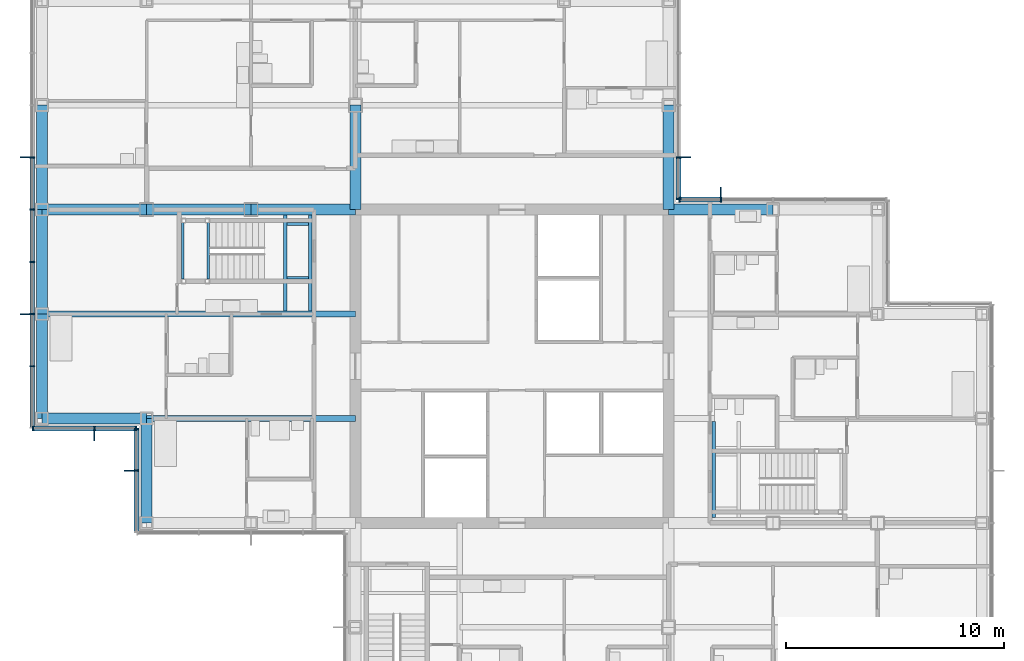
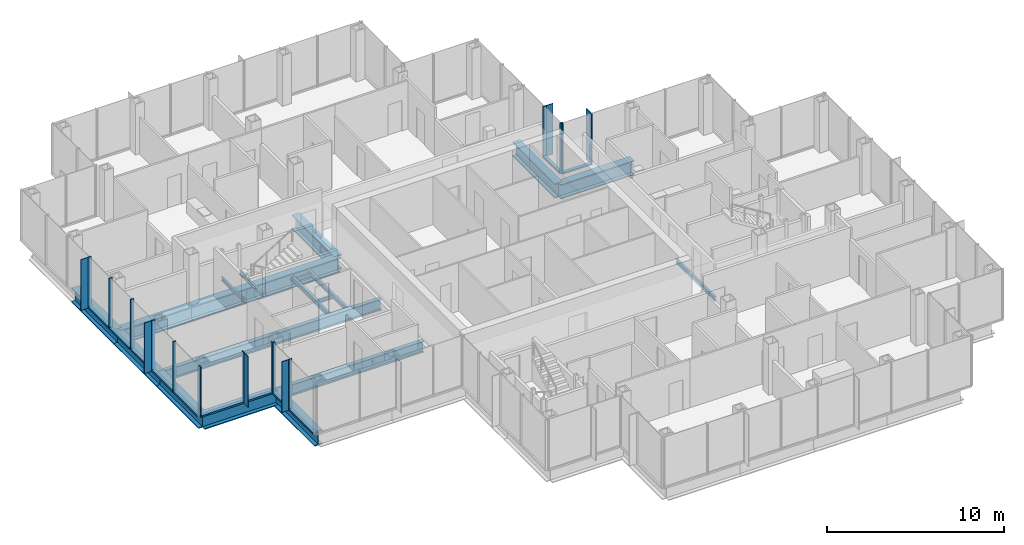
# One storey, part 7 of 19: 31 members, 20 beams, 5 elements without a shape of their own.
"""IFC4 building model written with IfcOpenShell, lengths in metres."""

from ifc_helpers import new_model, si_unit, direction, frame, origin, origin_2d, place, context, subcontext, project, spatial, rectangle, i_section, extrude, material, material_profile, profile_set, type_object, element, aggregate, save


model = new_model("IFC4")

# Units and contexts
model_context = context("Model", 3, precision=1e-05, world=origin(), true_north=direction((0.0, 1.0)))
body_context = subcontext(model_context, "Body", "Model", "MODEL_VIEW")
ifc_project = project(units=[si_unit("LENGTHUNIT", "METRE"), si_unit("AREAUNIT", "SQUARE_METRE"), si_unit("VOLUMEUNIT", "CUBIC_METRE"), si_unit("PLANEANGLEUNIT", "RADIAN"), si_unit("MASSUNIT", "GRAM", prefix="KILO")], contexts=[model_context])

# Site, building, storey
site_placement = place(None, origin())
site = spatial("IfcSite", under=ifc_project, at=site_placement, CompositionType="ELEMENT")
building_placement = place(site_placement, origin())
building = spatial("IfcBuilding", under=site, at=building_placement, Name="Kvirike Care Tower", CompositionType="ELEMENT")
storey_placement = place(building_placement, frame((0.0, 0.0, 129.5)))
storey = spatial("IfcBuildingStorey", under=building, at=storey_placement, Name="L35", CompositionType="ELEMENT", Elevation=129.5)

# Curtain wall, member
ifc_material_1 = material(Name="Anodised aluminium stick system", Category="aluminium")
curtain_wall_type = type_object("IfcCurtainWallType", Name="CW-B STICK CURTAIN WALL", PredefinedType="NOTDEFINED", material=ifc_material_1)
curtain_wall_1_placement = place(storey_placement, origin())
curtain_wall_1 = element("IfcCurtainWall", 1, at=curtain_wall_1_placement, inside=storey, type_object=curtain_wall_type, Name="Curtain wall L35 face 4", PredefinedType="NOTDEFINED")
ifc_material_2 = material(Name="Bronze anodised aluminium fin", Category="aluminium")
ifc_material_profile_1 = material_profile(ifc_material_2, rectangle(XDim=0.050048828125, YDim=0.449951171875, at=origin_2d()), Name="BRONZE FIN 450")
ifc_profile_set_1 = profile_set([ifc_material_profile_1], Name="Bronze anodised aluminium fin")
member_type_1 = type_object("IfcMemberType", Name="BRONZE FIN 450", PredefinedType="USERDEFINED", material=ifc_profile_set_1)
member_1_placement = place(storey_placement, frame((31.199951171875, 43.9951171875, 0.0), z_axis=(0.0, 0.0, 1.0), x_axis=(-1.0, 0.0, 0.0)))
member_1 = element("IfcMember", 2, at=member_1_placement, type_object=member_type_1, Name="Bronze fin L35 face 4.4", ObjectType="FIN", PredefinedType="USERDEFINED", context=body_context, shape_type="SweptSolid", body=[
    extrude(rectangle(XDim=0.050048828125, YDim=0.449951171875, at=origin_2d()), origin(), (0.0, 0.0, 1.0), 3.5),
])

curtain_wall_2_placement = place(storey_placement, origin())
curtain_wall_2 = element("IfcCurtainWall", 3, at=curtain_wall_2_placement, inside=storey, type_object=curtain_wall_type, Name="Curtain wall L35 face 5", PredefinedType="NOTDEFINED")
member_2_placement = place(storey_placement, frame((29.594970703125, 45.60009765625, 0.0), z_axis=(0.0, 0.0, 1.0), x_axis=(0.0, 1.0, 0.0)))
member_2 = element("IfcMember", 4, at=member_2_placement, type_object=member_type_1, Name="Bronze fin L35 face 5.2", ObjectType="FIN", PredefinedType="USERDEFINED", context=body_context, shape_type="SweptSolid", body=[
    extrude(rectangle(XDim=0.050048828125, YDim=0.449951171875, at=origin_2d()), origin(), (0.0, 0.0, 1.0), 3.5),
])

# Curtain wall, members
curtain_wall_3_placement = place(storey_placement, origin())
curtain_wall_3 = element("IfcCurtainWall", 5, at=curtain_wall_3_placement, inside=storey, type_object=curtain_wall_type, Name="Curtain wall L35 face 11", PredefinedType="NOTDEFINED")
member_3_placement = place(storey_placement, frame((-0.794921875, 45.60009765625, 0.0), z_axis=(0.0, 0.0, 1.0), x_axis=(0.0, -1.0, 0.0)))
member_3 = element("IfcMember", 6, at=member_3_placement, type_object=member_type_1, Name="Bronze fin L35 face 11.4", ObjectType="FIN", PredefinedType="USERDEFINED", context=body_context, shape_type="SweptSolid", body=[
    extrude(rectangle(XDim=0.050048828125, YDim=0.449951171875, at=origin_2d()), origin(), (0.0, 0.0, 1.0), 3.5),
])
member_4_placement = place(storey_placement, frame((-0.794921875, 38.39990234375, 0.0), z_axis=(0.0, 0.0, 1.0), x_axis=(0.0, -1.0, 0.0)))
member_4 = element("IfcMember", 7, at=member_4_placement, type_object=member_type_1, Name="Bronze fin L35 face 11.7", ObjectType="FIN", PredefinedType="USERDEFINED", context=body_context, shape_type="SweptSolid", body=[
    extrude(rectangle(XDim=0.050048828125, YDim=0.449951171875, at=origin_2d()), origin(), (0.0, 0.0, 1.0), 3.5),
])

# Curtain wall, member
curtain_wall_4_placement = place(storey_placement, origin())
curtain_wall_4 = element("IfcCurtainWall", 8, at=curtain_wall_4_placement, inside=storey, type_object=curtain_wall_type, Name="Curtain wall L35 face 12", PredefinedType="NOTDEFINED")
member_5_placement = place(storey_placement, frame((2.39990234375, 32.804931640625, 0.0), z_axis=(0.0, 0.0, 1.0), x_axis=(1.0, 0.0, 0.0)))
member_5 = element("IfcMember", 9, at=member_5_placement, type_object=member_type_1, Name="Bronze fin L35 face 12.2", ObjectType="FIN", PredefinedType="USERDEFINED", context=body_context, shape_type="SweptSolid", body=[
    extrude(rectangle(XDim=0.050048828125, YDim=0.449951171875, at=origin_2d()), origin(), (0.0, 0.0, 1.0), 3.5),
])

curtain_wall_5_placement = place(storey_placement, origin())
curtain_wall_5 = element("IfcCurtainWall", 10, at=curtain_wall_5_placement, inside=storey, type_object=curtain_wall_type, Name="Curtain wall L35 face 13", PredefinedType="NOTDEFINED")
member_6_placement = place(storey_placement, frame((4.0048828125, 31.199951171875, 0.0), z_axis=(0.0, 0.0, 1.0), x_axis=(0.0, -1.0, 0.0)))
member_6 = element("IfcMember", 11, at=member_6_placement, type_object=member_type_1, Name="Bronze fin L35 face 13.2", ObjectType="FIN", PredefinedType="USERDEFINED", context=body_context, shape_type="SweptSolid", body=[
    extrude(rectangle(XDim=0.050048828125, YDim=0.449951171875, at=origin_2d()), origin(), (0.0, 0.0, 1.0), 3.5),
])

# Member
ifc_material_3 = material(Name="Bronze anodised aluminium mullion", Category="aluminium")
ifc_material_profile_2 = material_profile(ifc_material_3, rectangle(XDim=0.06494140625, YDim=0.219970703125, at=origin_2d()), Name="CW-B MULLION 65x220")
ifc_profile_set_2 = profile_set([ifc_material_profile_2], Name="Bronze anodised aluminium mullion")
member_type_2 = type_object("IfcMemberType", Name="CW-B MULLION 65x220", PredefinedType="MULLION", material=ifc_profile_set_2)
member_7_placement = place(storey_placement, frame((31.199951171875, 43.659912109375, 0.0), z_axis=(0.0, 0.0, 1.0), x_axis=(-1.0, 0.0, 0.0)))
member_7 = element("IfcMember", 12, at=member_7_placement, type_object=member_type_2, Name="CW-B mullion L35 face 4.4", PredefinedType="MULLION", context=body_context, shape_type="SweptSolid", body=[
    extrude(rectangle(XDim=0.06494140625, YDim=0.219970703125, at=origin_2d()), origin(), (0.0, 0.0, 1.0), 3.5),
])

member_8_placement = place(storey_placement, frame((29.29248046875, 43.659912109375, 0.0), z_axis=(0.0, 0.0, 1.0), x_axis=(-1.0, 0.0, 0.0)))
member_8 = element("IfcMember", 13, at=member_8_placement, type_object=member_type_2, Name="CW-B mullion L35 face 4.5", PredefinedType="MULLION", context=body_context, shape_type="SweptSolid", body=[
    extrude(rectangle(XDim=0.06494140625, YDim=0.219970703125, at=origin_2d()), origin(), (0.0, 0.0, 1.0), 3.5),
])

member_9_placement = place(storey_placement, frame((29.260009765625, 43.6923828125, 0.0), z_axis=(0.0, 0.0, 1.0), x_axis=(0.0, 1.0, 0.0)))
member_9 = element("IfcMember", 14, at=member_9_placement, type_object=member_type_2, Name="CW-B mullion L35 face 5.1", PredefinedType="MULLION", context=body_context, shape_type="SweptSolid", body=[
    extrude(rectangle(XDim=0.06494140625, YDim=0.219970703125, at=origin_2d()), origin(), (0.0, 0.0, 1.0), 3.5),
])

member_10_placement = place(storey_placement, frame((29.260009765625, 45.60009765625, 0.0), z_axis=(0.0, 0.0, 1.0), x_axis=(0.0, 1.0, 0.0)))
member_10 = element("IfcMember", 15, at=member_10_placement, type_object=member_type_2, Name="CW-B mullion L35 face 5.2", PredefinedType="MULLION", context=body_context, shape_type="SweptSolid", body=[
    extrude(rectangle(XDim=0.06494140625, YDim=0.219970703125, at=origin_2d()), origin(), (0.0, 0.0, 1.0), 3.5),
])

member_11_placement = place(storey_placement, frame((-0.4599609375, 45.60009765625, 0.0), z_axis=(0.0, 0.0, 1.0), x_axis=(0.0, -1.0, 0.0)))
member_11 = element("IfcMember", 16, at=member_11_placement, type_object=member_type_2, Name="CW-B mullion L35 face 11.4", PredefinedType="MULLION", context=body_context, shape_type="SweptSolid", body=[
    extrude(rectangle(XDim=0.06494140625, YDim=0.219970703125, at=origin_2d()), origin(), (0.0, 0.0, 1.0), 3.5),
])

member_12_placement = place(storey_placement, frame((-0.4599609375, 43.199951171875, 0.0), z_axis=(0.0, 0.0, 1.0), x_axis=(0.0, -1.0, 0.0)))
member_12 = element("IfcMember", 17, at=member_12_placement, type_object=member_type_2, Name="CW-B mullion L35 face 11.5", PredefinedType="MULLION", context=body_context, shape_type="SweptSolid", body=[
    extrude(rectangle(XDim=0.06494140625, YDim=0.219970703125, at=origin_2d()), origin(), (0.0, 0.0, 1.0), 3.5),
])

member_13_placement = place(storey_placement, frame((-0.4599609375, 40.800048828125, 0.0), z_axis=(0.0, 0.0, 1.0), x_axis=(0.0, -1.0, 0.0)))
member_13 = element("IfcMember", 18, at=member_13_placement, type_object=member_type_2, Name="CW-B mullion L35 face 11.6", PredefinedType="MULLION", context=body_context, shape_type="SweptSolid", body=[
    extrude(rectangle(XDim=0.06494140625, YDim=0.219970703125, at=origin_2d()), origin(), (0.0, 0.0, 1.0), 3.5),
])

member_14_placement = place(storey_placement, frame((-0.4599609375, 38.39990234375, 0.0), z_axis=(0.0, 0.0, 1.0), x_axis=(0.0, -1.0, 0.0)))
member_14 = element("IfcMember", 19, at=member_14_placement, type_object=member_type_2, Name="CW-B mullion L35 face 11.7", PredefinedType="MULLION", context=body_context, shape_type="SweptSolid", body=[
    extrude(rectangle(XDim=0.06494140625, YDim=0.219970703125, at=origin_2d()), origin(), (0.0, 0.0, 1.0), 3.5),
])

member_15_placement = place(storey_placement, frame((-0.4599609375, 36.0, 0.0), z_axis=(0.0, 0.0, 1.0), x_axis=(0.0, -1.0, 0.0)))
member_15 = element("IfcMember", 20, at=member_15_placement, type_object=member_type_2, Name="CW-B mullion L35 face 11.8", PredefinedType="MULLION", context=body_context, shape_type="SweptSolid", body=[
    extrude(rectangle(XDim=0.06494140625, YDim=0.219970703125, at=origin_2d()), origin(), (0.0, 0.0, 1.0), 3.5),
])

member_16_placement = place(storey_placement, frame((-0.427490234375, 33.139892578125, 0.0), z_axis=(0.0, 0.0, 1.0), x_axis=(1.0, 0.0, 0.0)))
member_16 = element("IfcMember", 21, at=member_16_placement, type_object=member_type_2, Name="CW-B mullion L35 face 12.1", PredefinedType="MULLION", context=body_context, shape_type="SweptSolid", body=[
    extrude(rectangle(XDim=0.06494140625, YDim=0.219970703125, at=origin_2d()), origin(), (0.0, 0.0, 1.0), 3.5),
])

member_17_placement = place(storey_placement, frame((2.39990234375, 33.139892578125, 0.0), z_axis=(0.0, 0.0, 1.0), x_axis=(1.0, 0.0, 0.0)))
member_17 = element("IfcMember", 22, at=member_17_placement, type_object=member_type_2, Name="CW-B mullion L35 face 12.2", PredefinedType="MULLION", context=body_context, shape_type="SweptSolid", body=[
    extrude(rectangle(XDim=0.06494140625, YDim=0.219970703125, at=origin_2d()), origin(), (0.0, 0.0, 1.0), 3.5),
])

member_18_placement = place(storey_placement, frame((4.3076171875, 33.139892578125, 0.0), z_axis=(0.0, 0.0, 1.0), x_axis=(1.0, 0.0, 0.0)))
member_18 = element("IfcMember", 23, at=member_18_placement, type_object=member_type_2, Name="CW-B mullion L35 face 12.3", PredefinedType="MULLION", context=body_context, shape_type="SweptSolid", body=[
    extrude(rectangle(XDim=0.06494140625, YDim=0.219970703125, at=origin_2d()), origin(), (0.0, 0.0, 1.0), 3.5),
])

member_19_placement = place(storey_placement, frame((4.340087890625, 33.107421875, 0.0), z_axis=(0.0, 0.0, 1.0), x_axis=(0.0, -1.0, 0.0)))
member_19 = element("IfcMember", 24, at=member_19_placement, type_object=member_type_2, Name="CW-B mullion L35 face 13.1", PredefinedType="MULLION", context=body_context, shape_type="SweptSolid", body=[
    extrude(rectangle(XDim=0.06494140625, YDim=0.219970703125, at=origin_2d()), origin(), (0.0, 0.0, 1.0), 3.5),
])

member_20_placement = place(storey_placement, frame((4.340087890625, 31.199951171875, 0.0), z_axis=(0.0, 0.0, 1.0), x_axis=(0.0, -1.0, 0.0)))
member_20 = element("IfcMember", 25, at=member_20_placement, type_object=member_type_2, Name="CW-B mullion L35 face 13.2", PredefinedType="MULLION", context=body_context, shape_type="SweptSolid", body=[
    extrude(rectangle(XDim=0.06494140625, YDim=0.219970703125, at=origin_2d()), origin(), (0.0, 0.0, 1.0), 3.5),
])

ifc_material_4 = material(Name="Bronze anodised aluminium transom", Category="aluminium")
ifc_material_profile_3 = material_profile(ifc_material_4, rectangle(XDim=0.219970703125, YDim=0.10009765625, at=origin_2d()), Name="CW-B TRANSOM 220x100")
ifc_profile_set_3 = profile_set([ifc_material_profile_3], Name="Bronze anodised aluminium transom")
member_type_3 = type_object("IfcMemberType", Name="CW-B TRANSOM 220x100", PredefinedType="USERDEFINED", material=ifc_profile_set_3)
member_21_placement = place(storey_placement, frame((31.16748046875, 43.659912109375, 0.050048828125), z_axis=(-1.0, 0.0, 0.0), x_axis=(0.0, -1.0, 0.0)))
member_21 = element("IfcMember", 26, at=member_21_placement, type_object=member_type_3, Name="CW-B sill transom L35 face 4.4", ObjectType="TRANSOM", PredefinedType="USERDEFINED", context=body_context, shape_type="SweptSolid", body=[
    extrude(rectangle(XDim=0.219970703125, YDim=0.10009765625, at=origin_2d()), origin(), (0.0, 0.0, 1.0), 1.842529296875),
])

aggregate(curtain_wall_1, [member_7, member_1, member_8, member_21])

member_22_placement = place(storey_placement, frame((29.260009765625, 43.72509765625, 0.050048828125), z_axis=(0.0, 1.0, 0.0), x_axis=(-1.0, 0.0, 0.0)))
member_22 = element("IfcMember", 27, at=member_22_placement, type_object=member_type_3, Name="CW-B sill transom L35 face 5.1", ObjectType="TRANSOM", PredefinedType="USERDEFINED", context=body_context, shape_type="SweptSolid", body=[
    extrude(rectangle(XDim=0.219970703125, YDim=0.10009765625, at=origin_2d()), origin(), (0.0, 0.0, 1.0), 1.84228515625),
])

aggregate(curtain_wall_2, [member_9, member_10, member_2, member_22])

member_23_placement = place(storey_placement, frame((-0.4599609375, 45.5673828125, 0.050048828125), z_axis=(0.0, -1.0, 0.0), x_axis=(1.0, 0.0, 0.0)))
member_23 = element("IfcMember", 28, at=member_23_placement, type_object=member_type_3, Name="CW-B sill transom L35 face 11.4", ObjectType="TRANSOM", PredefinedType="USERDEFINED", context=body_context, shape_type="SweptSolid", body=[
    extrude(rectangle(XDim=0.219970703125, YDim=0.10009765625, at=origin_2d()), origin(), (0.0, 0.0, 1.0), 2.3349609375),
])

member_24_placement = place(storey_placement, frame((-0.4599609375, 43.16748046875, 0.050048828125), z_axis=(0.0, -1.0, 0.0), x_axis=(1.0, 0.0, 0.0)))
member_24 = element("IfcMember", 29, at=member_24_placement, type_object=member_type_3, Name="CW-B sill transom L35 face 11.5", ObjectType="TRANSOM", PredefinedType="USERDEFINED", context=body_context, shape_type="SweptSolid", body=[
    extrude(rectangle(XDim=0.219970703125, YDim=0.10009765625, at=origin_2d()), origin(), (0.0, 0.0, 1.0), 2.3349609375),
])

member_25_placement = place(storey_placement, frame((-0.4599609375, 40.767578125, 0.050048828125), z_axis=(0.0, -1.0, 0.0), x_axis=(1.0, 0.0, 0.0)))
member_25 = element("IfcMember", 30, at=member_25_placement, type_object=member_type_3, Name="CW-B sill transom L35 face 11.6", ObjectType="TRANSOM", PredefinedType="USERDEFINED", context=body_context, shape_type="SweptSolid", body=[
    extrude(rectangle(XDim=0.219970703125, YDim=0.10009765625, at=origin_2d()), origin(), (0.0, 0.0, 1.0), 2.3349609375),
])

member_26_placement = place(storey_placement, frame((-0.4599609375, 38.367431640625, 0.050048828125), z_axis=(0.0, -1.0, 0.0), x_axis=(1.0, 0.0, 0.0)))
member_26 = element("IfcMember", 31, at=member_26_placement, type_object=member_type_3, Name="CW-B sill transom L35 face 11.7", ObjectType="TRANSOM", PredefinedType="USERDEFINED", context=body_context, shape_type="SweptSolid", body=[
    extrude(rectangle(XDim=0.219970703125, YDim=0.10009765625, at=origin_2d()), origin(), (0.0, 0.0, 1.0), 2.3349609375),
])

member_27_placement = place(storey_placement, frame((-0.4599609375, 35.967529296875, 0.050048828125), z_axis=(0.0, -1.0, 0.0), x_axis=(1.0, 0.0, 0.0)))
member_27 = element("IfcMember", 32, at=member_27_placement, type_object=member_type_3, Name="CW-B sill transom L35 face 11.8", ObjectType="TRANSOM", PredefinedType="USERDEFINED", context=body_context, shape_type="SweptSolid", body=[
    extrude(rectangle(XDim=0.219970703125, YDim=0.10009765625, at=origin_2d()), origin(), (0.0, 0.0, 1.0), 2.762451171875),
])

aggregate(curtain_wall_3, [member_11, member_3, member_12, member_13, member_14, member_4, member_15, member_23, member_24, member_25, member_26, member_27])

member_28_placement = place(storey_placement, frame((-0.39501953125, 33.139892578125, 0.050048828125), z_axis=(1.0, 0.0, 0.0), x_axis=(0.0, 1.0, 0.0)))
member_28 = element("IfcMember", 33, at=member_28_placement, type_object=member_type_3, Name="CW-B sill transom L35 face 12.1", ObjectType="TRANSOM", PredefinedType="USERDEFINED", context=body_context, shape_type="SweptSolid", body=[
    extrude(rectangle(XDim=0.219970703125, YDim=0.10009765625, at=origin_2d()), origin(), (0.0, 0.0, 1.0), 2.762451171875),
])

member_29_placement = place(storey_placement, frame((2.4326171875, 33.139892578125, 0.050048828125), z_axis=(1.0, 0.0, 0.0), x_axis=(0.0, 1.0, 0.0)))
member_29 = element("IfcMember", 34, at=member_29_placement, type_object=member_type_3, Name="CW-B sill transom L35 face 12.2", ObjectType="TRANSOM", PredefinedType="USERDEFINED", context=body_context, shape_type="SweptSolid", body=[
    extrude(rectangle(XDim=0.219970703125, YDim=0.10009765625, at=origin_2d()), origin(), (0.0, 0.0, 1.0), 1.84228515625),
])

aggregate(curtain_wall_4, [member_16, member_17, member_5, member_18, member_28, member_29])

member_30_placement = place(storey_placement, frame((4.340087890625, 33.074951171875, 0.050048828125), z_axis=(0.0, -1.0, 0.0), x_axis=(1.0, 0.0, 0.0)))
member_30 = element("IfcMember", 35, at=member_30_placement, type_object=member_type_3, Name="CW-B sill transom L35 face 13.1", ObjectType="TRANSOM", PredefinedType="USERDEFINED", context=body_context, shape_type="SweptSolid", body=[
    extrude(rectangle(XDim=0.219970703125, YDim=0.10009765625, at=origin_2d()), origin(), (0.0, 0.0, 1.0), 1.842529296875),
])

member_31_placement = place(storey_placement, frame((4.340087890625, 31.16748046875, 0.050048828125), z_axis=(0.0, -1.0, 0.0), x_axis=(1.0, 0.0, 0.0)))
member_31 = element("IfcMember", 36, at=member_31_placement, type_object=member_type_3, Name="CW-B sill transom L35 face 13.2", ObjectType="TRANSOM", PredefinedType="USERDEFINED", context=body_context, shape_type="SweptSolid", body=[
    extrude(rectangle(XDim=0.219970703125, YDim=0.10009765625, at=origin_2d()), origin(), (0.0, 0.0, 1.0), 2.762451171875),
])

aggregate(curtain_wall_5, [member_19, member_20, member_6, member_30, member_31])

# Beams
ifc_material_5 = material(Name="Steel S355", Category="steel")
ifc_material_profile_4 = material_profile(ifc_material_5, i_section(OverallWidth=0.26806640625, OverallDepth=0.77001953125, WebThickness=0.015625, FlangeThickness=0.025390625, FilletRadius=0.01708984375, at=origin_2d()), Name="IPE 750x196")
ifc_profile_set_4 = profile_set([ifc_material_profile_4], Name="Steel S355")
beam_type_1 = type_object("IfcBeamType", Name="FLOOR BEAM IPE 750x196", PredefinedType="BEAM", material=ifc_profile_set_4)
beam_1_placement = place(storey_placement, frame((4.800048828125, 33.60009765625, -0.554931640625), z_axis=(1.0, 0.0, 0.0), x_axis=(0.0, 1.0, 0.0)))
element("IfcBeam", 37, at=beam_1_placement, inside=storey, type_object=beam_type_1, Name="Floor Beam H4-H6 L35", PredefinedType="BEAM", context=body_context, shape_type="SweptSolid", body=[
    extrude(i_section(OverallWidth=0.26806640625, OverallDepth=0.77001953125, WebThickness=0.015625, FlangeThickness=0.025390625, FilletRadius=0.01708984375, at=origin_2d()), origin(), (0.0, 0.0, 1.0), 9.599853515625),
])
beam_2_placement = place(storey_placement, frame((0.0, 38.39990234375, -0.554931640625), z_axis=(1.0, 0.0, 0.0), x_axis=(0.0, 1.0, 0.0)))
element("IfcBeam", 38, at=beam_2_placement, inside=storey, type_object=beam_type_1, Name="Floor Beam J3-J6 L35", PredefinedType="BEAM", context=body_context, shape_type="SweptSolid", body=[
    extrude(i_section(OverallWidth=0.26806640625, OverallDepth=0.77001953125, WebThickness=0.015625, FlangeThickness=0.025390625, FilletRadius=0.01708984375, at=origin_2d()), origin(), (0.0, 0.0, 1.0), 14.39990234375),
])
ifc_material_6 = material(Name="Steel S355", Category="steel")
ifc_material_profile_5 = material_profile(ifc_material_6, i_section(OverallWidth=0.5, OverallDepth=1.0, WebThickness=0.030029296875, FlangeThickness=0.06005859375, at=origin_2d()), Name="PG 1000x500x30x60")
ifc_profile_set_5 = profile_set([ifc_material_profile_5], Name="Steel S355")
beam_type_2 = type_object("IfcBeamType", Name="FRAME BEAM PG 1000x500x30x60", PredefinedType="BEAM", material=ifc_profile_set_5)
for number, where, z_axis, x_axis, name in (
    (39, (0.0, 43.199951171875, -0.669921875), (1.0, 0.0, 0.0), (0.0, 1.0, 0.0), "Frame Beam K3-K4 L35"),
    (40, (4.800048828125, 43.199951171875, -0.669921875), (1.0, 0.0, 0.0), (0.0, 1.0, 0.0), "Frame Beam K4-K5 L35"),
):
    element("IfcBeam", number, at=place(storey_placement, frame(where, z_axis=z_axis, x_axis=x_axis)), inside=storey, type_object=beam_type_2, Name=name, PredefinedType="BEAM", context=body_context, shape_type="SweptSolid", body=[
        extrude(i_section(OverallWidth=0.5, OverallDepth=1.0, WebThickness=0.030029296875, FlangeThickness=0.06005859375, at=origin_2d()), origin(), (0.0, 0.0, 1.0), 4.800048828125),
    ])
beam_3_placement = place(storey_placement, frame((9.60009765625, 43.199951171875, -0.669921875), z_axis=(1.0, 0.0, 0.0), x_axis=(0.0, 1.0, 0.0)))
element("IfcBeam", 41, at=beam_3_placement, inside=storey, type_object=beam_type_2, Name="Frame Beam K5-K6 L35", PredefinedType="BEAM", context=body_context, shape_type="SweptSolid", body=[
    extrude(i_section(OverallWidth=0.5, OverallDepth=1.0, WebThickness=0.030029296875, FlangeThickness=0.06005859375, at=origin_2d()), origin(), (0.0, 0.0, 1.0), 4.7998046875),
])
beam_4_placement = place(storey_placement, frame((14.39990234375, 43.199951171875, -0.669921875), z_axis=(0.0, 1.0, 0.0), x_axis=(-1.0, 0.0, 0.0)))
element("IfcBeam", 42, at=beam_4_placement, inside=storey, type_object=beam_type_2, Name="Frame Beam K6-L6 L35", PredefinedType="BEAM", context=body_context, shape_type="SweptSolid", body=[
    extrude(i_section(OverallWidth=0.5, OverallDepth=1.0, WebThickness=0.030029296875, FlangeThickness=0.06005859375, at=origin_2d()), origin(), (0.0, 0.0, 1.0), 4.800048828125),
])
ifc_material_7 = material(Name="Steel S355", Category="steel")
ifc_material_profile_6 = material_profile(ifc_material_7, i_section(OverallWidth=0.5, OverallDepth=1.0, WebThickness=0.030029296875, FlangeThickness=0.06005859375, at=origin_2d()), Name="PG 1000x500x30x60")
ifc_profile_set_6 = profile_set([ifc_material_profile_6], Name="Steel S355")
beam_type_3 = type_object("IfcBeamType", Name="SPANDREL PG 1000x500x30x60", PredefinedType="SPANDREL", material=ifc_profile_set_6)
for number, where, z_axis, x_axis, name in (
    (43, (0.0, 33.60009765625, -0.669921875), (1.0, 0.0, 0.0), (0.0, 1.0, 0.0), "Spandrel H3-H4 L35"),
    (44, (28.800048828125, 43.199951171875, -0.669921875), (1.0, 0.0, 0.0), (0.0, 1.0, 0.0), "Spandrel K9-K10 L35"),
):
    element("IfcBeam", number, at=place(storey_placement, frame(where, z_axis=z_axis, x_axis=x_axis)), inside=storey, type_object=beam_type_3, Name=name, PredefinedType="SPANDREL", context=body_context, shape_type="SweptSolid", body=[
        extrude(i_section(OverallWidth=0.5, OverallDepth=1.0, WebThickness=0.030029296875, FlangeThickness=0.06005859375, at=origin_2d()), origin(), (0.0, 0.0, 1.0), 4.800048828125),
    ])
beam_5_placement = place(storey_placement, frame((0.0, 33.60009765625, -0.669921875), z_axis=(0.0, 1.0, 0.0), x_axis=(-1.0, 0.0, 0.0)))
element("IfcBeam", 45, at=beam_5_placement, inside=storey, type_object=beam_type_3, Name="Spandrel H3-J3 L35", PredefinedType="SPANDREL", context=body_context, shape_type="SweptSolid", body=[
    extrude(i_section(OverallWidth=0.5, OverallDepth=1.0, WebThickness=0.030029296875, FlangeThickness=0.06005859375, at=origin_2d()), origin(), (0.0, 0.0, 1.0), 4.7998046875),
])
for number, where, z_axis, x_axis, name in (
    (46, (0.0, 38.39990234375, -0.669921875), (0.0, 1.0, 0.0), (-1.0, 0.0, 0.0), "Spandrel J3-K3 L35"),
    (47, (0.0, 43.199951171875, -0.669921875), (0.0, 1.0, 0.0), (-1.0, 0.0, 0.0), "Spandrel K3-L3 L35"),
    (48, (4.800048828125, 28.800048828125, -0.669921875), (0.0, 1.0, 0.0), (-1.0, 0.0, 0.0), "Spandrel G4-H4 L35"),
    (49, (28.800048828125, 43.199951171875, -0.669921875), (0.0, 1.0, 0.0), (-1.0, 0.0, 0.0), "Spandrel K9-L9 L35"),
):
    element("IfcBeam", number, at=place(storey_placement, frame(where, z_axis=z_axis, x_axis=x_axis)), inside=storey, type_object=beam_type_3, Name=name, PredefinedType="SPANDREL", context=body_context, shape_type="SweptSolid", body=[
        extrude(i_section(OverallWidth=0.5, OverallDepth=1.0, WebThickness=0.030029296875, FlangeThickness=0.06005859375, at=origin_2d()), origin(), (0.0, 0.0, 1.0), 4.800048828125),
    ])
ifc_material_8 = material(Name="Steel S355", Category="steel")
ifc_material_profile_7 = material_profile(ifc_material_8, i_section(OverallWidth=0.1201171875, OverallDepth=0.239990234375, WebThickness=0.006103515625, FlangeThickness=0.009765625, FilletRadius=0.014892578125, at=origin_2d()), Name="IPE 240")
ifc_profile_set_7 = profile_set([ifc_material_profile_7], Name="Steel S355")
beam_type_4 = type_object("IfcBeamType", Name="STAIR LANDING BEAM IPE 240", PredefinedType="BEAM", material=ifc_profile_set_7)
for number, where, z_axis, x_axis, name in (
    (50, (6.4599609375, 42.60009765625, 1.429931640625), (0.0, -1.0, 0.0), (1.0, 0.0, 0.0), "Stair 1 landing beam back L35"),
    (51, (7.639892578125, 42.60009765625, 1.429931640625), (0.0, -1.0, 0.0), (1.0, 0.0, 0.0), "Stair 1 landing beam front L35"),
):
    element("IfcBeam", number, at=place(storey_placement, frame(where, z_axis=z_axis, x_axis=x_axis)), inside=storey, type_object=beam_type_4, Name=name, PredefinedType="BEAM", context=body_context, shape_type="SweptSolid", body=[
        extrude(i_section(OverallWidth=0.1201171875, OverallDepth=0.239990234375, WebThickness=0.006103515625, FlangeThickness=0.009765625, FilletRadius=0.014892578125, at=origin_2d()), origin(), (0.0, 0.0, 1.0), 2.60009765625),
    ])
for number, where, z_axis, x_axis, name in (
    (52, (11.25, 42.5400390625, -0.320068359375), (1.0, 0.0, 0.0), (0.0, 1.0, 0.0), "Stair 1 landing edge beam 1 L35"),
    (53, (11.25, 40.06005859375, -0.320068359375), (1.0, 0.0, 0.0), (0.0, 1.0, 0.0), "Stair 1 landing edge beam 2 L35"),
):
    element("IfcBeam", number, at=place(storey_placement, frame(where, z_axis=z_axis, x_axis=x_axis)), inside=storey, type_object=beam_type_4, Name=name, PredefinedType="BEAM", context=body_context, shape_type="SweptSolid", body=[
        extrude(i_section(OverallWidth=0.1201171875, OverallDepth=0.239990234375, WebThickness=0.006103515625, FlangeThickness=0.009765625, FilletRadius=0.014892578125, at=origin_2d()), origin(), (0.0, 0.0, 1.0), 1.0),
    ])
ifc_material_9 = material(Name="Steel S355", Category="steel")
ifc_material_profile_8 = material_profile(ifc_material_9, i_section(OverallWidth=0.14990234375, OverallDepth=0.300048828125, WebThickness=0.007080078125, FlangeThickness=0.0107421875, FilletRadius=0.014892578125, at=origin_2d()), Name="IPE 300")
ifc_profile_set_8 = profile_set([ifc_material_profile_8], Name="Steel S355")
beam_type_5 = type_object("IfcBeamType", Name="STAIR TRIMMER IPE 300", PredefinedType="BEAM", material=ifc_profile_set_8)
for number, where, z_axis, x_axis, name in (
    (54, (11.175048828125, 42.949951171875, -0.35009765625), (0.0, -1.0, 0.0), (1.0, 0.0, 0.0), "Stair 1 trimmer 1 L35"),
    (55, (12.324951171875, 42.949951171875, -0.35009765625), (0.0, -1.0, 0.0), (1.0, 0.0, 0.0), "Stair 1 trimmer 2 L35"),
    (56, (30.875, 29.050048828125, -0.35009765625), (0.0, 1.0, 0.0), (-1.0, 0.0, 0.0), "Stair 2 trimmer 2 L35"),
):
    element("IfcBeam", number, at=place(storey_placement, frame(where, z_axis=z_axis, x_axis=x_axis)), inside=storey, type_object=beam_type_5, Name=name, PredefinedType="BEAM", context=body_context, shape_type="SweptSolid", body=[
        extrude(i_section(OverallWidth=0.14990234375, OverallDepth=0.300048828125, WebThickness=0.007080078125, FlangeThickness=0.0107421875, FilletRadius=0.014892578125, at=origin_2d()), origin(), (0.0, 0.0, 1.0), 4.416015625),
    ])

save(model, "model.ifc")
